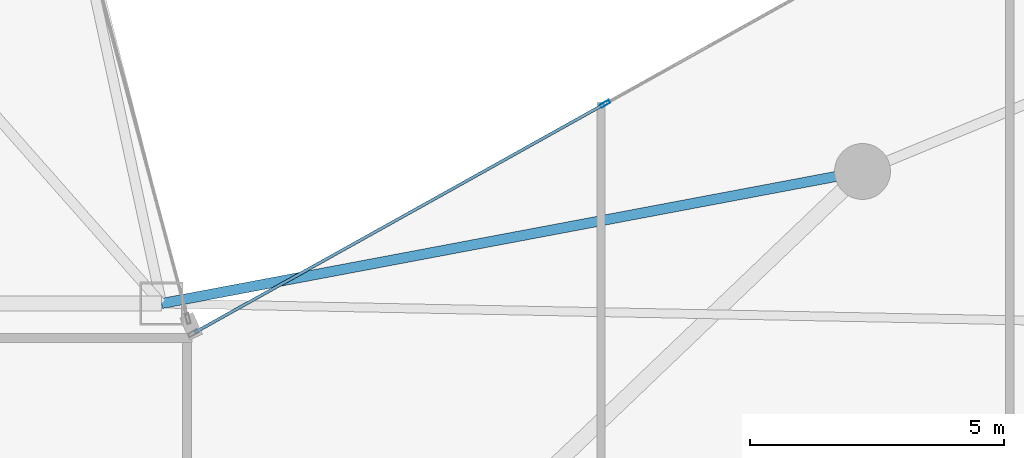
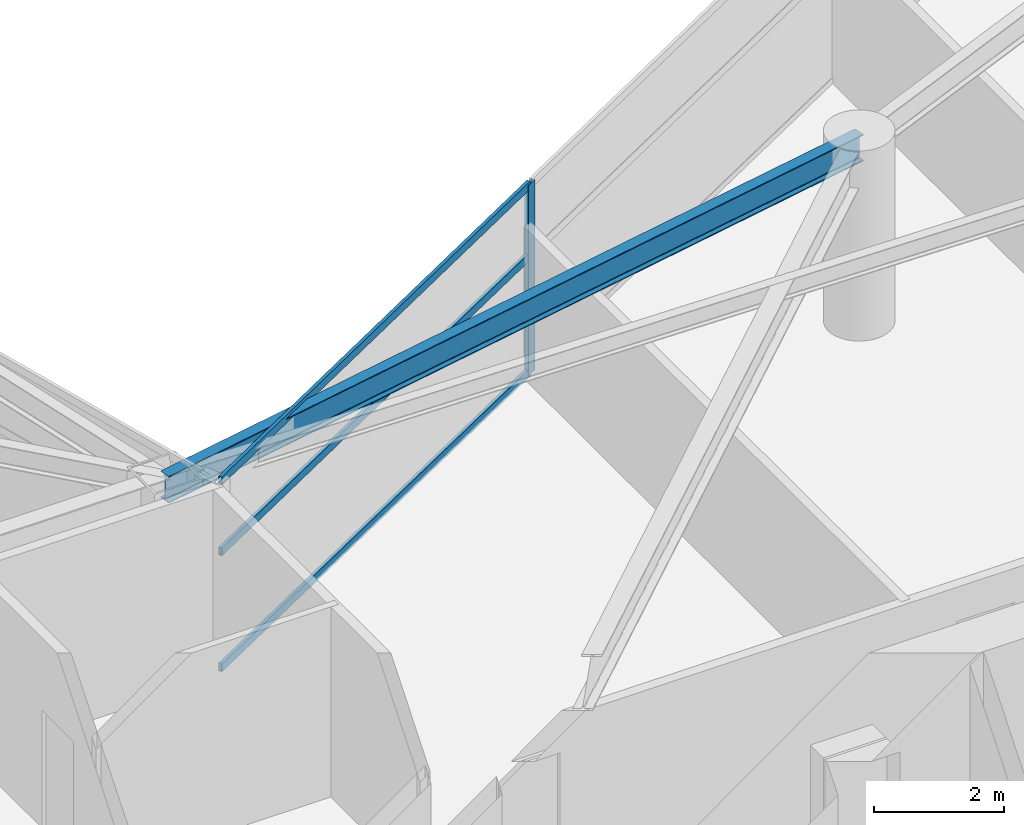
# One storey, part 11 of 29: 4 members, 1 beam, 1 element without a shape of its own.
"""IFC4 building model written with IfcOpenShell, lengths in metres."""

from ifc_helpers import new_model, si_unit, direction, frame, origin, origin_2d, place, context, subcontext, project, spatial, hollow_rectangle, i_section, extrude, material, layer, layer_set, material_profile, profile_set, type_object, element, aggregate, save


model = new_model("IFC4")

# Units and contexts
model_context = context("Model", 3, precision=1e-05, world=origin(), true_north=direction((0.0, 1.0)))
body_context = subcontext(model_context, "Body", "Model", "MODEL_VIEW")
ifc_project = project(units=[si_unit("LENGTHUNIT", "METRE"), si_unit("AREAUNIT", "SQUARE_METRE"), si_unit("VOLUMEUNIT", "CUBIC_METRE"), si_unit("PLANEANGLEUNIT", "RADIAN"), si_unit("MASSUNIT", "GRAM", prefix="KILO")], contexts=[model_context])

# Site, building, storey
site_placement = place(None, origin())
site = spatial("IfcSite", under=ifc_project, at=site_placement, CompositionType="ELEMENT")
building_placement = place(site_placement, origin())
building = spatial("IfcBuilding", under=site, at=building_placement, Name="Calvorn Quay Hotel", CompositionType="ELEMENT")
storey_placement = place(building_placement, frame((0.0, 0.0, 120.199951171875)))
storey = spatial("IfcBuildingStorey", under=building, at=storey_placement, Name="L29", CompositionType="ELEMENT", Elevation=120.199951171875)

# Beam
ifc_material_1 = material(Name="Steel Q355B", Category="steel")
ifc_material_profile_1 = material_profile(ifc_material_1, i_section(OverallWidth=0.199951171875, OverallDepth=0.5, WebThickness=0.010009765625, FlangeThickness=0.01611328125, FilletRadius=0.01611328125, at=origin_2d()), Name="HN500x200x10x16")
ifc_profile_set_1 = profile_set([ifc_material_profile_1], Name="Steel Q355B")
beam_type = type_object("IfcBeamType", Name="BM-SPANDREL-Z1", PredefinedType="SPANDREL", material=ifc_profile_set_1)
beam_placement = place(storey_placement, frame((34.800048828125, 27.60009765625, 3.2900390625), z_axis=(-0.982709432406, -0.185154452988, 0.0), x_axis=(0.185154452988, -0.982709432406, 0.0)))
element("IfcBeam", 1, at=beam_placement, inside=storey, type_object=beam_type, Name="Beam BSP-L29-E5", PredefinedType="SPANDREL", context=body_context, shape_type="SweptSolid", body=[
    extrude(i_section(OverallWidth=0.199951171875, OverallDepth=0.5, WebThickness=0.010009765625, FlangeThickness=0.01611328125, FilletRadius=0.01611328125, at=origin_2d()), origin(), (0.0, 0.0, 1.0), 14.04296875),
])

# Curtain wall, members
ifc_material_2 = material(Name="Pale Anodised Aluminium and Low-E Glass", Category="aluminium")
ifc_layer = layer(ifc_material_2, 0.219970703125)
ifc_layer_set = layer_set([ifc_layer], Name="CW-SYS-Z2")
curtain_wall_type = type_object("IfcCurtainWallType", Name="CW-SYS-Z2", PredefinedType="NOTDEFINED", material=ifc_layer_set)
curtain_wall_placement = place(storey_placement, origin())
curtain_wall = element("IfcCurtainWall", 2, at=curtain_wall_placement, inside=storey, type_object=curtain_wall_type, Name="Inner Court Curtain Wall L29-NE1", PredefinedType="NOTDEFINED")
ifc_material_3 = material(Name="Pale Anodised Aluminium 6063-T6", Category="aluminium")
ifc_material_profile_2 = material_profile(ifc_material_3, hollow_rectangle(XDim=0.070068359375, YDim=0.199951171875, WallThickness=0.00390625, at=origin_2d()), Name="ALU-M200x70x4")
ifc_profile_set_2 = profile_set([ifc_material_profile_2], Name="Pale Anodised Aluminium 6063-T6")
member_type_1 = type_object("IfcMemberType", Name="CW-SYS-Z2-MUL", PredefinedType="MULLION", material=ifc_profile_set_2)
member_1_placement = place(storey_placement, frame((29.7333984375, 28.933349609375, 0.0), z_axis=(0.0, 0.0, 1.0), x_axis=(0.486858256224, -0.873480989116, 0.0)))
member_1 = element("IfcMember", 3, at=member_1_placement, type_object=member_type_1, Name="CW-L29-NE1 mullion 3", PredefinedType="MULLION", context=body_context, shape_type="SweptSolid", body=[
    extrude(hollow_rectangle(XDim=0.070068359375, YDim=0.199951171875, WallThickness=0.00390625, at=origin_2d()), origin(), (0.0, 0.0, 1.0), 3.56005859375),
])
ifc_material_4 = material(Name="Pale Anodised Aluminium 6063-T6", Category="aluminium")
ifc_material_profile_3 = material_profile(ifc_material_4, hollow_rectangle(XDim=0.06005859375, YDim=0.14990234375, WallThickness=0.00341796875, at=origin_2d()), Name="ALU-T150x60x3.5")
ifc_profile_set_3 = profile_set([ifc_material_profile_3], Name="Pale Anodised Aluminium 6063-T6")
member_type_2 = type_object("IfcMemberType", Name="CW-SYS-Z2-TRN", PredefinedType="USERDEFINED", material=ifc_profile_set_3)
member_2_placement = place(storey_placement, frame((29.70703125, 28.918701171875, 0.030029296875), z_axis=(-0.87348080454, -0.486858587375, 0.0), x_axis=(0.486858587375, -0.87348080454, 0.0)))
member_2 = element("IfcMember", 4, at=member_2_placement, type_object=member_type_2, Name="CW-L29-NE1 transom 3.1", ObjectType="TRANSOM", PredefinedType="USERDEFINED", context=body_context, shape_type="SweptSolid", body=[
    extrude(hollow_rectangle(XDim=0.06005859375, YDim=0.14990234375, WallThickness=0.00341796875, at=origin_2d()), origin(), (0.0, 0.0, 1.0), 9.221435546875),
])
member_3_placement = place(storey_placement, frame((29.70703125, 28.918701171875, 2.199951171875), z_axis=(-0.87348080454, -0.486858587375, 0.0), x_axis=(0.486858587375, -0.87348080454, 0.0)))
member_3 = element("IfcMember", 5, at=member_3_placement, type_object=member_type_2, Name="CW-L29-NE1 transom 3.2", ObjectType="TRANSOM", PredefinedType="USERDEFINED", context=body_context, shape_type="SweptSolid", body=[
    extrude(hollow_rectangle(XDim=0.06005859375, YDim=0.14990234375, WallThickness=0.00341796875, at=origin_2d()), origin(), (0.0, 0.0, 1.0), 9.221435546875),
])
member_4_placement = place(storey_placement, frame((29.70703125, 28.918701171875, 3.530029296875), z_axis=(-0.87348080454, -0.486858587375, 0.0), x_axis=(0.486858587375, -0.87348080454, 0.0)))
member_4 = element("IfcMember", 6, at=member_4_placement, type_object=member_type_2, Name="CW-L29-NE1 transom 3.3", ObjectType="TRANSOM", PredefinedType="USERDEFINED", context=body_context, shape_type="SweptSolid", body=[
    extrude(hollow_rectangle(XDim=0.06005859375, YDim=0.14990234375, WallThickness=0.00341796875, at=origin_2d()), origin(), (0.0, 0.0, 1.0), 9.221435546875),
])
aggregate(curtain_wall, [member_1, member_2, member_3, member_4])

save(model, "model.ifc")
